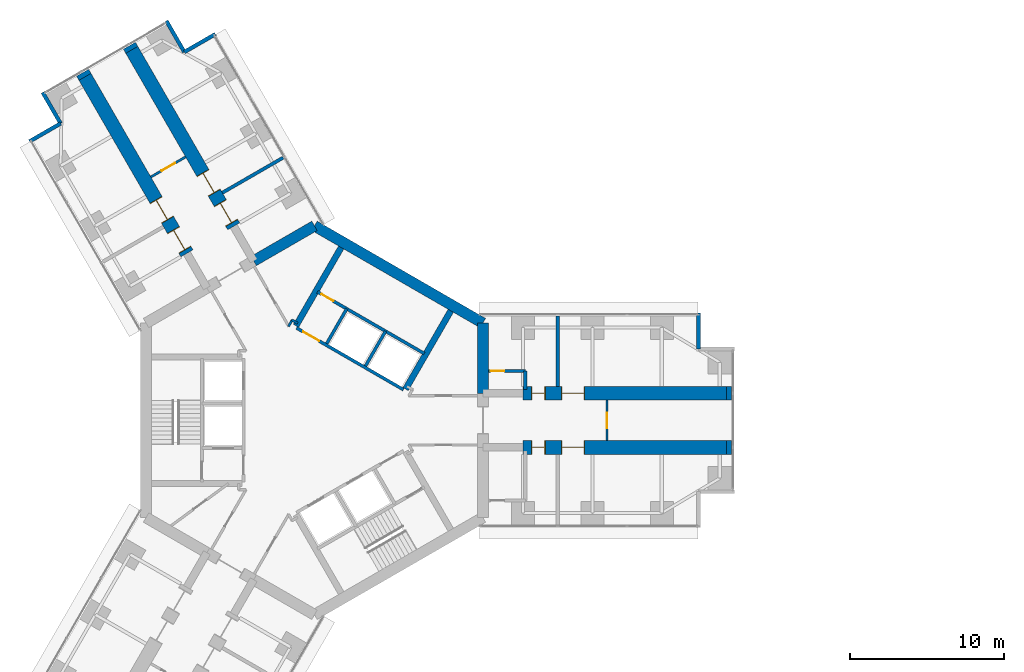
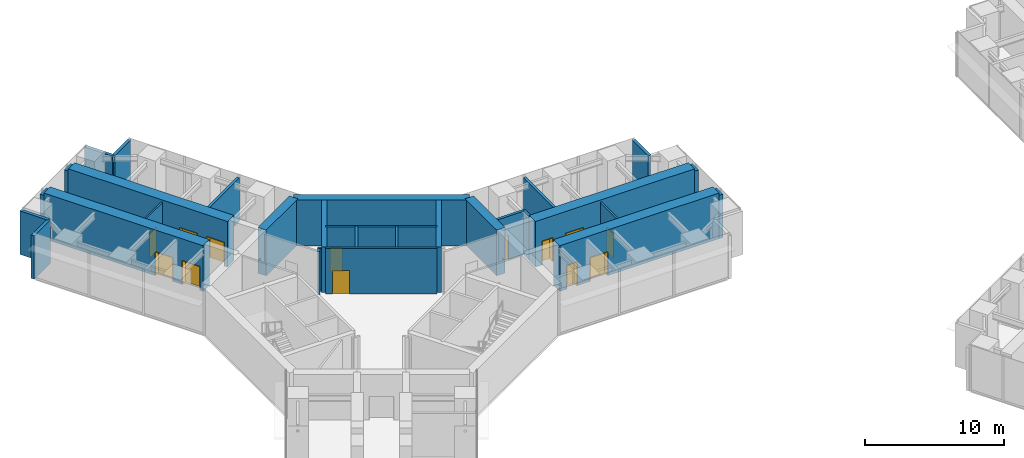
# One storey, part 18 of 23: 30 walls, 13 doors, 13 openings.
"""IFC4 building model written with IfcOpenShell, lengths in metres."""

from ifc_helpers import new_model, si_unit, direction, frame, frame_2d, origin, place, context, subcontext, project, spatial, rectangle, extrude, material, layer, layer_set, type_object, element, fill, save


model = new_model("IFC4")

# Units and contexts
model_context = context("Model", 3, precision=1e-05, world=origin(), true_north=direction((0.0, 1.0)))
body_context = subcontext(model_context, "Body", "Model", "MODEL_VIEW")
ifc_project = project(units=[si_unit("LENGTHUNIT", "METRE"), si_unit("AREAUNIT", "SQUARE_METRE"), si_unit("VOLUMEUNIT", "CUBIC_METRE"), si_unit("PLANEANGLEUNIT", "RADIAN"), si_unit("MASSUNIT", "GRAM", prefix="KILO")], contexts=[model_context])

# Site, building, storey
site_placement = place(None, origin())
site = spatial("IfcSite", under=ifc_project, at=site_placement, CompositionType="ELEMENT")
building_placement = place(site_placement, origin())
building = spatial("IfcBuilding", under=site, at=building_placement, Name="Upepo Twin Towers", CompositionType="ELEMENT")
storey_placement = place(building_placement, frame((0.0, 0.0, 28.5)))
storey = spatial("IfcBuildingStorey", under=building, at=storey_placement, Name="L06", CompositionType="ELEMENT", Elevation=28.5)

# Wall
ifc_material_1 = material(Name="Concrete blockwork, plastered both faces", Category="masonry")
ifc_layer_1 = layer(ifc_material_1, 0.215087890625)
ifc_layer_set_1 = layer_set([ifc_layer_1], Name="Blockwork partition 215")
wall_type_1 = type_object("IfcWallType", Name="Blockwork partition 215", PredefinedType="PARTITIONING", material=ifc_layer_set_1)
wall_1_placement = place(storey_placement, frame((15.75, 2.199951171875, 0.0), z_axis=(0.0, 0.0, 1.0), x_axis=(0.0, 1.0, 0.0)))
element("IfcWall", 1, at=wall_1_placement, inside=storey, type_object=wall_type_1, Name="T1 partition AL at 15.75", PredefinedType="PARTITIONING", context=body_context, shape_type="SweptSolid", body=[
    extrude(rectangle(XDim=4.550048828125, YDim=0.215087890625, at=frame_2d((2.27490234375, 0.0))), origin(), (0.0, 0.0, 1.0), 3.800048828125),
])

# Wall, opening, door
wall_2_placement = place(storey_placement, frame((11.258056640625, 3.199951171875, 0.0), z_axis=(0.0, 0.0, 1.0), x_axis=(1.0, 0.0, 0.0)))
wall_2 = element("IfcWall", 2, at=wall_2_placement, inside=storey, type_object=wall_type_1, Name="T1 WC bay partition AL at 11.26", PredefinedType="PARTITIONING", context=body_context, shape_type="SweptSolid", body=[
    extrude(rectangle(XDim=2.39990234375, YDim=0.215087890625, at=frame_2d((1.199951171875, 0.0))), origin(), (0.0, 0.0, 1.0), 3.800048828125),
])
opening_1_placement = place(wall_2_placement, frame((0.14990234375, 0.0, 0.0)))
opening_1 = element("IfcOpeningElement", 3, at=opening_1_placement, cuts=wall_2, Name="Opening D14", PredefinedType="OPENING", context=body_context, shape_type="SweptSolid", body=[
    extrude(rectangle(XDim=0.89990234375, YDim=2.10009765625, at=frame_2d((0.449951171875, 1.050048828125))), frame((0.0, 0.117431640625, 0.0), z_axis=(0.0, -1.0, 0.0), x_axis=(1.0, 0.0, 0.0)), (0.0, 0.0, 1.0), 0.235107421875),
])
ifc_material_2 = material(Name="Timber doorset", Category="wood")
door_type_1 = type_object("IfcDoorType", Name="Office door 900 FD30", OperationType="SINGLE_SWING_LEFT", PredefinedType="DOOR", material=ifc_material_2)
door_1_placement = place(opening_1_placement, origin())
door_1 = element("IfcDoor", 4, at=door_1_placement, inside=storey, type_object=door_type_1, Name="T1 L06 WC bay inner room door", OperationType="SINGLE_SWING_LEFT", OverallHeight=2.10009765625, OverallWidth=0.89990234375, PredefinedType="DOOR", context=body_context, shape_type="SweptSolid", body=[
    extrude(rectangle(XDim=0.89990234375, YDim=2.10009765625, at=frame_2d((0.449951171875, 1.050048828125))), frame((0.0, 0.02490234375, 0.0), z_axis=(0.0, -1.0, 0.0), x_axis=(1.0, 0.0, 0.0)), (0.0, 0.0, 1.0), 0.050048828125),
])
fill(opening_1, door_1)

# Walls
wall_3_placement = place(storey_placement, frame((13.657958984375, 2.0, 0.0), z_axis=(0.0, 0.0, 1.0), x_axis=(0.0, 1.0, 0.0)))
element("IfcWall", 5, at=wall_3_placement, inside=storey, type_object=wall_type_1, Name="T1 WC bay partition AL end at 13.66", PredefinedType="PARTITIONING", context=body_context, shape_type="SweptSolid", body=[
    extrude(rectangle(XDim=1.199951171875, YDim=0.215087890625, at=frame_2d((0.60009765625, 0.0))), origin(), (0.0, 0.0, 1.0), 3.800048828125),
])
wall_4_placement = place(storey_placement, frame((-5.9697265625, 14.739990234375, 0.0), z_axis=(0.0, 0.0, 1.0), x_axis=(0.866035472144, 0.499982560684, 0.0)))
element("IfcWall", 6, at=wall_4_placement, inside=storey, type_object=wall_type_1, Name="T1 partition BR at 15.75", PredefinedType="PARTITIONING", context=body_context, shape_type="SweptSolid", body=[
    extrude(rectangle(XDim=4.550048828125, YDim=0.215087890625, at=frame_2d((2.27490234375, 0.0))), origin(), (0.0, 0.0, 1.0), 3.800048828125),
])
ifc_material_3 = material(Name="Dense concrete blockwork", Category="masonry")
ifc_layer_2 = layer(ifc_material_3, 0.89990234375)
ifc_layer_set_2 = layer_set([ifc_layer_2], Name="Buttress closer 900, blockwork with fire-stopping to the curtain wall")
wall_type_2 = type_object("IfcWallType", Name="Buttress closer 900, blockwork with fire-stopping to the curtain wall", PredefinedType="PARTITIONING", material=ifc_layer_set_2)
for number, where, z_axis, x_axis, name in (
    (7, (26.699951171875, 1.75, 0.0), (0.0, 0.0, 1.0), (1.0, 0.0, 0.0), "T1 L06 wing A buttress closer L"),
    (8, (26.699951171875, -1.75, 0.0), (0.0, 0.0, 1.0), (1.0, 0.0, 0.0), "T1 L06 wing A buttress closer R"),
    (9, (-14.865478515625, 22.247802734375, 0.0), (0.0, 0.0, 1.0), (-0.499949632511, 0.866054481515, 0.0), "T1 L06 wing B buttress closer L"),
    (10, (-11.83447265625, 23.997802734375, 0.0), (0.0, 0.0, 1.0), (-0.499949632511, 0.866054481515, 0.0), "T1 L06 wing B buttress closer R"),
):
    element("IfcWall", number, at=place(storey_placement, frame(where, z_axis=z_axis, x_axis=x_axis)), inside=storey, type_object=wall_type_2, Name=name, PredefinedType="PARTITIONING", context=body_context, shape_type="SweptSolid", body=[
        extrude(rectangle(XDim=0.31005859375, YDim=0.89990234375, at=frame_2d((0.155029296875, 0.0))), origin(), (0.0, 0.0, 1.0), 3.800048828125),
    ])

# Wall, openings, doors
ifc_material_4 = material(Name="Concrete C60/75", Category="concrete")
ifc_layer_3 = layer(ifc_material_4, 0.89990234375)
ifc_layer_set_3 = layer_set([ifc_layer_3], Name="Concrete C60/75")
wall_type_3 = type_object("IfcWallType", Name="Buttress wall 900 RC", PredefinedType="SHEAR", material=ifc_layer_set_3)
wall_5_placement = place(storey_placement, frame((13.5, 1.75, 0.0), z_axis=(0.0, 0.0, 1.0), x_axis=(1.0, 0.0, 0.0)))
wall_5 = element("IfcWall", 11, at=wall_5_placement, inside=storey, type_object=wall_type_3, Name="T1 wing A buttress wall L part 2", PredefinedType="SHEAR", context=body_context, shape_type="SweptSolid", body=[
    extrude(rectangle(XDim=13.199951171875, YDim=0.89990234375, at=frame_2d((6.60009765625, 0.0))), origin(), (0.0, 0.0, 1.0), 4.0),
])
opening_2_placement = place(wall_5_placement, frame((0.550048828125, 0.0, 0.0)))
opening_2 = element("IfcOpeningElement", 12, at=opening_2_placement, cuts=wall_5, Name="Opening D11", PredefinedType="OPENING", context=body_context, shape_type="SweptSolid", body=[
    extrude(rectangle(XDim=0.89990234375, YDim=2.10009765625, at=frame_2d((0.449951171875, 1.050048828125))), frame((0.0, 0.4599609375, 0.0), z_axis=(0.0, -1.0, 0.0), x_axis=(1.0, 0.0, 0.0)), (0.0, 0.0, 1.0), 0.919921875),
])
opening_3_placement = place(wall_5_placement, frame((2.5, 0.0, 0.0)))
opening_3 = element("IfcOpeningElement", 13, at=opening_3_placement, cuts=wall_5, Name="Opening D13", PredefinedType="OPENING", context=body_context, shape_type="SweptSolid", body=[
    extrude(rectangle(XDim=1.5, YDim=2.10009765625, at=frame_2d((0.75, 1.050048828125))), frame((0.0, 0.4599609375, 0.0), z_axis=(0.0, -1.0, 0.0), x_axis=(1.0, 0.0, 0.0)), (0.0, 0.0, 1.0), 0.919921875),
])
ifc_material_5 = material(Name="Timber doorset", Category="wood")
door_type_2 = type_object("IfcDoorType", Name="Double door 1500 FD30", OperationType="DOUBLE_DOOR_SINGLE_SWING", PredefinedType="DOOR", material=ifc_material_5)
door_2_placement = place(opening_3_placement, origin())
door_2 = element("IfcDoor", 14, at=door_2_placement, inside=storey, type_object=door_type_2, Name="T1 L06 teaching laboratory door", OperationType="DOUBLE_DOOR_SINGLE_SWING", OverallHeight=2.10009765625, OverallWidth=1.5, PredefinedType="DOOR", context=body_context, shape_type="SweptSolid", body=[
    extrude(rectangle(XDim=1.42, YDim=2.06009765625, at=frame_2d((0.75, 1.030029296875))), frame((0.0, 0.02490234375, 0.0), z_axis=(0.0, -1.0, 0.0), x_axis=(1.0, 0.0, 0.0)), (0.0, 0.0, 1.0), 0.050048828125),
    extrude(rectangle(XDim=0.04, YDim=2.10009765625, at=frame_2d((0.02001953125, 1.050048828125))), frame((0.0, 0.44970703125, 0.0), z_axis=(0.0, -1.0, 0.0), x_axis=(1.0, 0.0, 0.0)), (0.0, 0.0, 1.0), 0.8994140625),
    extrude(rectangle(XDim=0.04, YDim=2.10009765625, at=frame_2d((1.47998046875, 1.050048828125))), frame((0.0, 0.44970703125, 0.0), z_axis=(0.0, -1.0, 0.0), x_axis=(1.0, 0.0, 0.0)), (0.0, 0.0, 1.0), 0.8994140625),
    extrude(rectangle(XDim=1.42, YDim=0.04, at=frame_2d((0.75, 2.080078125))), frame((0.0, 0.44970703125, 0.0), z_axis=(0.0, -1.0, 0.0), x_axis=(1.0, 0.0, 0.0)), (0.0, 0.0, 1.0), 0.8994140625),
])
fill(opening_3, door_2)
ifc_material_6 = material(Name="Timber doorset", Category="wood")
door_type_3 = type_object("IfcDoorType", Name="Toilet door 900", OperationType="SINGLE_SWING_LEFT", PredefinedType="DOOR", material=ifc_material_6)
door_3_placement = place(opening_2_placement, origin())
door_3 = element("IfcDoor", 15, at=door_3_placement, inside=storey, type_object=door_type_3, Name="T1 L06 toilets door", OperationType="SINGLE_SWING_LEFT", OverallHeight=2.10009765625, OverallWidth=0.89990234375, PredefinedType="DOOR", context=body_context, shape_type="SweptSolid", body=[
    extrude(rectangle(XDim=0.81990234375, YDim=2.06009765625, at=frame_2d((0.449951171875, 1.030029296875))), frame((0.0, 0.02490234375, 0.0), z_axis=(0.0, -1.0, 0.0), x_axis=(1.0, 0.0, 0.0)), (0.0, 0.0, 1.0), 0.050048828125),
    extrude(rectangle(XDim=0.04, YDim=2.10009765625, at=frame_2d((0.02001953125, 1.050048828125))), frame((0.0, 0.44970703125, 0.0), z_axis=(0.0, -1.0, 0.0), x_axis=(1.0, 0.0, 0.0)), (0.0, 0.0, 1.0), 0.8994140625),
    extrude(rectangle(XDim=0.04, YDim=2.10009765625, at=frame_2d((0.8798828125, 1.050048828125))), frame((0.0, 0.44970703125, 0.0), z_axis=(0.0, -1.0, 0.0), x_axis=(1.0, 0.0, 0.0)), (0.0, 0.0, 1.0), 0.8994140625),
    extrude(rectangle(XDim=0.81990234375, YDim=0.04, at=frame_2d((0.449951171875, 2.080078125))), frame((0.0, 0.44970703125, 0.0), z_axis=(0.0, -1.0, 0.0), x_axis=(1.0, 0.0, 0.0)), (0.0, 0.0, 1.0), 0.8994140625),
])
fill(opening_2, door_3)

wall_6_placement = place(storey_placement, frame((13.5, -1.75, 0.0), z_axis=(0.0, 0.0, 1.0), x_axis=(1.0, 0.0, 0.0)))
wall_6 = element("IfcWall", 16, at=wall_6_placement, inside=storey, type_object=wall_type_3, Name="T1 wing A buttress wall R part 2", PredefinedType="SHEAR", context=body_context, shape_type="SweptSolid", body=[
    extrude(rectangle(XDim=13.199951171875, YDim=0.89990234375, at=frame_2d((6.60009765625, 0.0))), origin(), (0.0, 0.0, 1.0), 4.0),
])
opening_4_placement = place(wall_6_placement, frame((0.550048828125, 0.0, 0.0)))
opening_4 = element("IfcOpeningElement", 17, at=opening_4_placement, cuts=wall_6, Name="Opening D11", PredefinedType="OPENING", context=body_context, shape_type="SweptSolid", body=[
    extrude(rectangle(XDim=0.89990234375, YDim=2.10009765625, at=frame_2d((0.449951171875, 1.050048828125))), frame((0.0, 0.4599609375, 0.0), z_axis=(0.0, -1.0, 0.0), x_axis=(1.0, 0.0, 0.0)), (0.0, 0.0, 1.0), 0.919921875),
])
opening_5_placement = place(wall_6_placement, frame((2.5, 0.0, 0.0)))
opening_5 = element("IfcOpeningElement", 18, at=opening_5_placement, cuts=wall_6, Name="Opening D13", PredefinedType="OPENING", context=body_context, shape_type="SweptSolid", body=[
    extrude(rectangle(XDim=1.5, YDim=2.10009765625, at=frame_2d((0.75, 1.050048828125))), frame((0.0, 0.4599609375, 0.0), z_axis=(0.0, -1.0, 0.0), x_axis=(1.0, 0.0, 0.0)), (0.0, 0.0, 1.0), 0.919921875),
])
door_4_placement = place(opening_5_placement, origin())
door_4 = element("IfcDoor", 19, at=door_4_placement, inside=storey, type_object=door_type_2, Name="T1 L06 teaching laboratory door", OperationType="DOUBLE_DOOR_SINGLE_SWING", OverallHeight=2.10009765625, OverallWidth=1.5, PredefinedType="DOOR", context=body_context, shape_type="SweptSolid", body=[
    extrude(rectangle(XDim=1.42, YDim=2.06009765625, at=frame_2d((0.75, 1.030029296875))), frame((0.0, 0.02490234375, 0.0), z_axis=(0.0, -1.0, 0.0), x_axis=(1.0, 0.0, 0.0)), (0.0, 0.0, 1.0), 0.050048828125),
    extrude(rectangle(XDim=0.04, YDim=2.10009765625, at=frame_2d((0.02001953125, 1.050048828125))), frame((0.0, 0.44970703125, 0.0), z_axis=(0.0, -1.0, 0.0), x_axis=(1.0, 0.0, 0.0)), (0.0, 0.0, 1.0), 0.8994140625),
    extrude(rectangle(XDim=0.04, YDim=2.10009765625, at=frame_2d((1.47998046875, 1.050048828125))), frame((0.0, 0.44970703125, 0.0), z_axis=(0.0, -1.0, 0.0), x_axis=(1.0, 0.0, 0.0)), (0.0, 0.0, 1.0), 0.8994140625),
    extrude(rectangle(XDim=1.42, YDim=0.04, at=frame_2d((0.75, 2.080078125))), frame((0.0, 0.44970703125, 0.0), z_axis=(0.0, -1.0, 0.0), x_axis=(1.0, 0.0, 0.0)), (0.0, 0.0, 1.0), 0.8994140625),
])
fill(opening_5, door_4)
door_5_placement = place(opening_4_placement, origin())
door_5 = element("IfcDoor", 20, at=door_5_placement, inside=storey, type_object=door_type_3, Name="T1 L06 accessible wc door", OperationType="SINGLE_SWING_LEFT", OverallHeight=2.10009765625, OverallWidth=0.89990234375, PredefinedType="DOOR", context=body_context, shape_type="SweptSolid", body=[
    extrude(rectangle(XDim=0.81990234375, YDim=2.06009765625, at=frame_2d((0.449951171875, 1.030029296875))), frame((0.0, 0.02490234375, 0.0), z_axis=(0.0, -1.0, 0.0), x_axis=(1.0, 0.0, 0.0)), (0.0, 0.0, 1.0), 0.050048828125),
    extrude(rectangle(XDim=0.04, YDim=2.10009765625, at=frame_2d((0.02001953125, 1.050048828125))), frame((0.0, 0.44970703125, 0.0), z_axis=(0.0, -1.0, 0.0), x_axis=(1.0, 0.0, 0.0)), (0.0, 0.0, 1.0), 0.8994140625),
    extrude(rectangle(XDim=0.04, YDim=2.10009765625, at=frame_2d((0.8798828125, 1.050048828125))), frame((0.0, 0.44970703125, 0.0), z_axis=(0.0, -1.0, 0.0), x_axis=(1.0, 0.0, 0.0)), (0.0, 0.0, 1.0), 0.8994140625),
    extrude(rectangle(XDim=0.81990234375, YDim=0.04, at=frame_2d((0.449951171875, 2.080078125))), frame((0.0, 0.44970703125, 0.0), z_axis=(0.0, -1.0, 0.0), x_axis=(1.0, 0.0, 0.0)), (0.0, 0.0, 1.0), 0.8994140625),
])
fill(opening_4, door_5)

wall_7_placement = place(storey_placement, frame((-8.265625, 10.81640625, 0.0), z_axis=(0.0, 0.0, 1.0), x_axis=(-0.499996231654, 0.866027579429, 0.0)))
wall_7 = element("IfcWall", 21, at=wall_7_placement, inside=storey, type_object=wall_type_3, Name="T1 wing B buttress wall L part 2", PredefinedType="SHEAR", context=body_context, shape_type="SweptSolid", body=[
    extrude(rectangle(XDim=13.19970703125, YDim=0.89990234375, at=frame_2d((6.599853515625, 0.0))), origin(), (0.0, 0.0, 1.0), 4.0),
])
opening_6_placement = place(wall_7_placement, frame((0.25, 0.0, 0.0)))
opening_6 = element("IfcOpeningElement", 22, at=opening_6_placement, cuts=wall_7, Name="Opening D13", PredefinedType="OPENING", context=body_context, shape_type="SweptSolid", body=[
    extrude(rectangle(XDim=1.5, YDim=2.10009765625, at=frame_2d((0.75, 1.050048828125))), frame((0.0, 0.4599609375, 0.0), z_axis=(0.0, -1.0, 0.0), x_axis=(1.0, 0.0, 0.0)), (0.0, 0.0, 1.0), 0.919921875),
])
opening_7_placement = place(wall_7_placement, frame((2.5, 0.0, 0.0)))
opening_7 = element("IfcOpeningElement", 23, at=opening_7_placement, cuts=wall_7, Name="Opening D13", PredefinedType="OPENING", context=body_context, shape_type="SweptSolid", body=[
    extrude(rectangle(XDim=1.5, YDim=2.10009765625, at=frame_2d((0.75, 1.050048828125))), frame((0.0, 0.4599609375, 0.0), z_axis=(0.0, -1.0, 0.0), x_axis=(1.0, 0.0, 0.0)), (0.0, 0.0, 1.0), 0.919921875),
])
door_6_placement = place(opening_6_placement, origin())
door_6 = element("IfcDoor", 24, at=door_6_placement, inside=storey, type_object=door_type_2, Name="T1 L06 instrument room door", OperationType="DOUBLE_DOOR_SINGLE_SWING", OverallHeight=2.10009765625, OverallWidth=1.5, PredefinedType="DOOR", context=body_context, shape_type="SweptSolid", body=[
    extrude(rectangle(XDim=1.42, YDim=2.06009765625, at=frame_2d((0.75, 1.030029296875))), frame((0.0, 0.02490234375, 0.0), z_axis=(0.0, -1.0, 0.0), x_axis=(1.0, 0.0, 0.0)), (0.0, 0.0, 1.0), 0.050048828125),
    extrude(rectangle(XDim=0.04, YDim=2.10009765625, at=frame_2d((0.02001953125, 1.050048828125))), frame((0.0, 0.44970703125, 0.0), z_axis=(0.0, -1.0, 0.0), x_axis=(1.0, 0.0, 0.0)), (0.0, 0.0, 1.0), 0.8994140625),
    extrude(rectangle(XDim=0.04, YDim=2.10009765625, at=frame_2d((1.47998046875, 1.050048828125))), frame((0.0, 0.44970703125, 0.0), z_axis=(0.0, -1.0, 0.0), x_axis=(1.0, 0.0, 0.0)), (0.0, 0.0, 1.0), 0.8994140625),
    extrude(rectangle(XDim=1.42, YDim=0.04, at=frame_2d((0.75, 2.080078125))), frame((0.0, 0.44970703125, 0.0), z_axis=(0.0, -1.0, 0.0), x_axis=(1.0, 0.0, 0.0)), (0.0, 0.0, 1.0), 0.8994140625),
])
fill(opening_6, door_6)
door_7_placement = place(opening_7_placement, origin())
door_7 = element("IfcDoor", 25, at=door_7_placement, inside=storey, type_object=door_type_2, Name="T1 L06 teaching laboratory door", OperationType="DOUBLE_DOOR_SINGLE_SWING", OverallHeight=2.10009765625, OverallWidth=1.5, PredefinedType="DOOR", context=body_context, shape_type="SweptSolid", body=[
    extrude(rectangle(XDim=1.42, YDim=2.06009765625, at=frame_2d((0.75, 1.030029296875))), frame((0.0, 0.02490234375, 0.0), z_axis=(0.0, -1.0, 0.0), x_axis=(1.0, 0.0, 0.0)), (0.0, 0.0, 1.0), 0.050048828125),
    extrude(rectangle(XDim=0.04, YDim=2.10009765625, at=frame_2d((0.02001953125, 1.050048828125))), frame((0.0, 0.44970703125, 0.0), z_axis=(0.0, -1.0, 0.0), x_axis=(1.0, 0.0, 0.0)), (0.0, 0.0, 1.0), 0.8994140625),
    extrude(rectangle(XDim=0.04, YDim=2.10009765625, at=frame_2d((1.47998046875, 1.050048828125))), frame((0.0, 0.44970703125, 0.0), z_axis=(0.0, -1.0, 0.0), x_axis=(1.0, 0.0, 0.0)), (0.0, 0.0, 1.0), 0.8994140625),
    extrude(rectangle(XDim=1.42, YDim=0.04, at=frame_2d((0.75, 2.080078125))), frame((0.0, 0.44970703125, 0.0), z_axis=(0.0, -1.0, 0.0), x_axis=(1.0, 0.0, 0.0)), (0.0, 0.0, 1.0), 0.8994140625),
])
fill(opening_7, door_7)

wall_8_placement = place(storey_placement, frame((-5.234375, 12.56640625, 0.0), z_axis=(0.0, 0.0, 1.0), x_axis=(-0.500010103361, 0.866019570528, 0.0)))
wall_8 = element("IfcWall", 26, at=wall_8_placement, inside=storey, type_object=wall_type_3, Name="T1 wing B buttress wall R part 2", PredefinedType="SHEAR", context=body_context, shape_type="SweptSolid", body=[
    extrude(rectangle(XDim=13.199951171875, YDim=0.89990234375, at=frame_2d((6.60009765625, 0.0))), origin(), (0.0, 0.0, 1.0), 4.0),
])
opening_8_placement = place(wall_8_placement, frame((0.25, 0.0, 0.0)))
opening_8 = element("IfcOpeningElement", 27, at=opening_8_placement, cuts=wall_8, Name="Opening D13", PredefinedType="OPENING", context=body_context, shape_type="SweptSolid", body=[
    extrude(rectangle(XDim=1.5, YDim=2.10009765625, at=frame_2d((0.75, 1.050048828125))), frame((0.0, 0.4599609375, 0.0), z_axis=(0.0, -1.0, 0.0), x_axis=(1.0, 0.0, 0.0)), (0.0, 0.0, 1.0), 0.919921875),
])
opening_9_placement = place(wall_8_placement, frame((2.5, 0.0, 0.0)))
opening_9 = element("IfcOpeningElement", 28, at=opening_9_placement, cuts=wall_8, Name="Opening D13", PredefinedType="OPENING", context=body_context, shape_type="SweptSolid", body=[
    extrude(rectangle(XDim=1.5, YDim=2.10009765625, at=frame_2d((0.75, 1.050048828125))), frame((0.0, 0.4599609375, 0.0), z_axis=(0.0, -1.0, 0.0), x_axis=(1.0, 0.0, 0.0)), (0.0, 0.0, 1.0), 0.919921875),
])
door_8_placement = place(opening_8_placement, origin())
door_8 = element("IfcDoor", 29, at=door_8_placement, inside=storey, type_object=door_type_2, Name="T1 L06 write-up room door", OperationType="DOUBLE_DOOR_SINGLE_SWING", OverallHeight=2.10009765625, OverallWidth=1.5, PredefinedType="DOOR", context=body_context, shape_type="SweptSolid", body=[
    extrude(rectangle(XDim=1.42, YDim=2.06009765625, at=frame_2d((0.75, 1.030029296875))), frame((0.0, 0.02490234375, 0.0), z_axis=(0.0, -1.0, 0.0), x_axis=(1.0, 0.0, 0.0)), (0.0, 0.0, 1.0), 0.050048828125),
    extrude(rectangle(XDim=0.04, YDim=2.10009765625, at=frame_2d((0.02001953125, 1.050048828125))), frame((0.0, 0.44970703125, 0.0), z_axis=(0.0, -1.0, 0.0), x_axis=(1.0, 0.0, 0.0)), (0.0, 0.0, 1.0), 0.8994140625),
    extrude(rectangle(XDim=0.04, YDim=2.10009765625, at=frame_2d((1.47998046875, 1.050048828125))), frame((0.0, 0.44970703125, 0.0), z_axis=(0.0, -1.0, 0.0), x_axis=(1.0, 0.0, 0.0)), (0.0, 0.0, 1.0), 0.8994140625),
    extrude(rectangle(XDim=1.42, YDim=0.04, at=frame_2d((0.75, 2.080078125))), frame((0.0, 0.44970703125, 0.0), z_axis=(0.0, -1.0, 0.0), x_axis=(1.0, 0.0, 0.0)), (0.0, 0.0, 1.0), 0.8994140625),
])
fill(opening_8, door_8)
door_9_placement = place(opening_9_placement, origin())
door_9 = element("IfcDoor", 30, at=door_9_placement, inside=storey, type_object=door_type_2, Name="T1 L06 teaching laboratory door", OperationType="DOUBLE_DOOR_SINGLE_SWING", OverallHeight=2.10009765625, OverallWidth=1.5, PredefinedType="DOOR", context=body_context, shape_type="SweptSolid", body=[
    extrude(rectangle(XDim=1.42, YDim=2.06009765625, at=frame_2d((0.75, 1.030029296875))), frame((0.0, 0.02490234375, 0.0), z_axis=(0.0, -1.0, 0.0), x_axis=(1.0, 0.0, 0.0)), (0.0, 0.0, 1.0), 0.050048828125),
    extrude(rectangle(XDim=0.04, YDim=2.10009765625, at=frame_2d((0.02001953125, 1.050048828125))), frame((0.0, 0.44970703125, 0.0), z_axis=(0.0, -1.0, 0.0), x_axis=(1.0, 0.0, 0.0)), (0.0, 0.0, 1.0), 0.8994140625),
    extrude(rectangle(XDim=0.04, YDim=2.10009765625, at=frame_2d((1.47998046875, 1.050048828125))), frame((0.0, 0.44970703125, 0.0), z_axis=(0.0, -1.0, 0.0), x_axis=(1.0, 0.0, 0.0)), (0.0, 0.0, 1.0), 0.8994140625),
    extrude(rectangle(XDim=1.42, YDim=0.04, at=frame_2d((0.75, 2.080078125))), frame((0.0, 0.44970703125, 0.0), z_axis=(0.0, -1.0, 0.0), x_axis=(1.0, 0.0, 0.0)), (0.0, 0.0, 1.0), 0.8994140625),
])
fill(opening_9, door_9)

# Walls
ifc_material_7 = material(Name="Concrete C60/75", Category="concrete")
ifc_layer_4 = layer(ifc_material_7, 0.699951171875)
ifc_layer_set_4 = layer_set([ifc_layer_4], Name="Concrete C60/75")
wall_type_4 = type_object("IfcWallType", Name="Core wall 700 RC", PredefinedType="SHEAR", material=ifc_layer_set_4)
wall_9_placement = place(storey_placement, frame((10.908447265625, 1.75, 0.0), z_axis=(0.0, 0.0, 1.0), x_axis=(0.0, 1.0, 0.0)))
element("IfcWall", 31, at=wall_9_placement, inside=storey, type_object=wall_type_4, Name="T1 core wall 000 L", PredefinedType="SHEAR", context=body_context, shape_type="SweptSolid", body=[
    extrude(rectangle(XDim=4.5478515625, YDim=0.699951171875, at=frame_2d((2.27392578125, 0.0))), origin(), (0.0, 0.0, 1.0), 4.0),
])
wall_10_placement = place(storey_placement, frame((10.908447265625, 6.2978515625, 0.0), z_axis=(0.0, 0.0, 1.0), x_axis=(-0.866021940709, 0.500005998175, 0.0)))
element("IfcWall", 32, at=wall_10_placement, inside=storey, type_object=wall_type_4, Name="T1 core wall 060", PredefinedType="SHEAR", context=body_context, shape_type="SweptSolid", body=[
    extrude(rectangle(XDim=12.595947265625, YDim=0.699951171875, at=frame_2d((6.2978515625, 0.0))), origin(), (0.0, 0.0, 1.0), 4.0),
])
wall_11_placement = place(storey_placement, frame((0.0, 12.595947265625, 0.0), z_axis=(0.0, 0.0, 1.0), x_axis=(-0.866011268655, -0.500024481964, 0.0)))
element("IfcWall", 33, at=wall_11_placement, inside=storey, type_object=wall_type_4, Name="T1 core wall 120 R", PredefinedType="SHEAR", context=body_context, shape_type="SweptSolid", body=[
    extrude(rectangle(XDim=4.548095703125, YDim=0.699951171875, at=frame_2d((2.27392578125, 0.0))), origin(), (0.0, 0.0, 1.0), 4.0),
])
ifc_material_8 = material(Name="Blockwork with anodised aluminium cladding", Category="masonry")
ifc_layer_5 = layer(ifc_material_8, 0.25)
ifc_layer_set_5 = layer_set([ifc_layer_5], Name="Notch cladding wall 250, pale metal")
wall_type_5 = type_object("IfcWallType", Name="Notch cladding wall 250, pale metal", PredefinedType="STANDARD", material=ifc_layer_set_5)
for number, where, z_axis, x_axis, name in (
    (34, (24.875, 6.949951171875, 0.0), (0.0, 0.0, 1.0), (0.0, -1.0, 0.0), "T1 L06 wing A notch wall L1"),
    (35, (-18.456298828125, 18.0673828125, 0.0), (0.0, 0.0, 1.0), (0.865998469481, 0.500046648681, 0.0), "T1 L06 wing B notch wall L1"),
    (36, (-16.44287109375, 19.22998046875, 0.0), (0.0, 0.0, 1.0), (-0.500046648681, 0.865998469481, 0.0), "T1 L06 wing B notch wall L2"),
    (37, (-6.418701171875, 25.017333984375, 0.0), (0.0, 0.0, 1.0), (-0.866043940782, -0.499967891604, 0.0), "T1 L06 wing B notch wall R1"),
    (38, (-8.43212890625, 23.85498046875, 0.0), (0.0, 0.0, 1.0), (-0.500046648681, 0.865998469481, 0.0), "T1 L06 wing B notch wall R2"),
):
    element("IfcWall", number, at=place(storey_placement, frame(where, z_axis=z_axis, x_axis=x_axis)), inside=storey, type_object=wall_type_5, Name=name, PredefinedType="STANDARD", context=body_context, shape_type="SweptSolid", body=[
        extrude(rectangle(XDim=2.324951171875, YDim=0.25, at=frame_2d((1.16259765625, 0.0))), origin(), (0.0, 0.0, 1.0), 3.800048828125),
    ])

# Wall, opening, door
ifc_material_9 = material(Name="Concrete C40/50", Category="concrete")
ifc_layer_6 = layer(ifc_material_9, 0.199951171875)
ifc_layer_set_6 = layer_set([ifc_layer_6], Name="Concrete C40/50")
wall_type_6 = type_object("IfcWallType", Name="Shaft wall 200 RC", PredefinedType="SHEAR", material=ifc_layer_set_6)
wall_12_placement = place(storey_placement, frame((5.76416015625, 1.983642578125, 0.0), z_axis=(0.0, 0.0, 1.0), x_axis=(-0.866026010844, 0.49999894854, 0.0)))
wall_12 = element("IfcWall", 39, at=wall_12_placement, inside=storey, type_object=wall_type_6, Name="T1 core W60 front wall", PredefinedType="SHEAR", context=body_context, shape_type="SweptSolid", body=[
    extrude(rectangle(XDim=8.0, YDim=0.199951171875, at=frame_2d((4.0, 0.0))), origin(), (0.0, 0.0, 1.0), 4.0),
])
opening_10_placement = place(wall_12_placement, frame((6.300048828125, 0.0, 0.0)))
opening_10 = element("IfcOpeningElement", 40, at=opening_10_placement, cuts=wall_12, Name="Opening D4", PredefinedType="OPENING", context=body_context, shape_type="SweptSolid", body=[
    extrude(rectangle(XDim=1.199951171875, YDim=2.10009765625, at=frame_2d((0.60009765625, 1.050048828125))), frame((0.0, 0.10986328125, 0.0), z_axis=(0.0, -1.0, 0.0), x_axis=(1.0, 0.0, 0.0)), (0.0, 0.0, 1.0), 0.219970703125),
])
ifc_material_10 = material(Name="Timber doorset", Category="wood")
door_type_4 = type_object("IfcDoorType", Name="Lobby door 1200 FD60", OperationType="SINGLE_SWING_LEFT", PredefinedType="DOOR", material=ifc_material_10)
door_10_placement = place(opening_10_placement, origin())
door_10 = element("IfcDoor", 41, at=door_10_placement, inside=storey, type_object=door_type_4, Name="T1 L06 W60 lobby door", OperationType="SINGLE_SWING_RIGHT", OverallHeight=2.10009765625, OverallWidth=1.199951171875, PredefinedType="DOOR", context=body_context, shape_type="SweptSolid", body=[
    extrude(rectangle(XDim=1.199951171875, YDim=2.10009765625, at=frame_2d((0.60009765625, 1.050048828125))), frame((0.0, 0.02490234375, 0.0), z_axis=(0.0, -1.0, 0.0), x_axis=(1.0, 0.0, 0.0)), (0.0, 0.0, 1.0), 0.050048828125),
])
fill(opening_10, door_10)

# Walls
for number, where, z_axis, x_axis, name in (
    (42, (3.302734375, 3.520263671875, 0.0), (0.0, 0.0, 1.0), (0.499936506574, 0.866062058628, 0.0), "T1 core W60 shaft divider"),
    (43, (0.791259765625, 4.97021484375, 0.0), (0.0, 0.0, 1.0), (0.499936506574, 0.866062058628, 0.0), "T1 core W60 lobby wall"),
):
    element("IfcWall", number, at=place(storey_placement, frame(where, z_axis=z_axis, x_axis=x_axis)), inside=storey, type_object=wall_type_6, Name=name, PredefinedType="SHEAR", context=body_context, shape_type="SweptSolid", body=[
        extrude(rectangle(XDim=2.599853515625, YDim=0.199951171875, at=frame_2d((1.2998046875, 0.0))), origin(), (0.0, 0.0, 1.0), 4.0),
    ])

# Wall, opening, door
wall_13_placement = place(storey_placement, frame((7.114013671875, 4.322021484375, 0.0), z_axis=(0.0, 0.0, 1.0), x_axis=(-0.866026010844, 0.49999894854, 0.0)))
wall_13 = element("IfcWall", 44, at=wall_13_placement, inside=storey, type_object=wall_type_6, Name="T1 core W60 stair wall", PredefinedType="SHEAR", context=body_context, shape_type="SweptSolid", body=[
    extrude(rectangle(XDim=8.0, YDim=0.199951171875, at=frame_2d((4.0, 0.0))), origin(), (0.0, 0.0, 1.0), 4.0),
])
opening_11_placement = place(wall_13_placement, frame((6.800048828125, 0.0, 0.0)))
opening_11 = element("IfcOpeningElement", 45, at=opening_11_placement, cuts=wall_13, Name="Opening D9", PredefinedType="OPENING", context=body_context, shape_type="SweptSolid", body=[
    extrude(rectangle(XDim=0.89990234375, YDim=2.10009765625, at=frame_2d((0.449951171875, 1.050048828125))), frame((0.0, 0.10986328125, 0.0), z_axis=(0.0, -1.0, 0.0), x_axis=(1.0, 0.0, 0.0)), (0.0, 0.0, 1.0), 0.219970703125),
])
ifc_material_11 = material(Name="Timber doorset", Category="wood")
door_type_5 = type_object("IfcDoorType", Name="Riser door 900 FD60", OperationType="SINGLE_SWING_LEFT", PredefinedType="DOOR", material=ifc_material_11)
door_11_placement = place(opening_11_placement, origin())
door_11 = element("IfcDoor", 46, at=door_11_placement, inside=storey, type_object=door_type_5, Name="T1 L06 riser door", OperationType="SINGLE_SWING_RIGHT", OverallHeight=2.10009765625, OverallWidth=0.89990234375, PredefinedType="DOOR", context=body_context, shape_type="SweptSolid", body=[
    extrude(rectangle(XDim=0.89990234375, YDim=2.10009765625, at=frame_2d((0.449951171875, 1.050048828125))), frame((0.0, 0.02490234375, 0.0), z_axis=(0.0, -1.0, 0.0), x_axis=(1.0, 0.0, 0.0)), (0.0, 0.0, 1.0), 0.050048828125),
])
fill(opening_11, door_11)

# Walls
ifc_material_12 = material(Name="Concrete C40/50", Category="concrete")
ifc_layer_7 = layer(ifc_material_12, 0.39990234375)
ifc_layer_set_7 = layer_set([ifc_layer_7], Name="Concrete C40/50")
wall_type_7 = type_object("IfcWallType", Name="Shaft wall 400 RC", PredefinedType="SHEAR", material=ifc_layer_set_7)
for number, where, z_axis, x_axis, name in (
    (47, (-1.20068359375, 6.120361328125, 0.0), (0.0, 0.0, 1.0), (0.500002627198, 0.866023886965, 0.0), "T1 core W60 side wall N"),
    (48, (5.900634765625, 2.020263671875, 0.0), (0.0, 0.0, 1.0), (0.500002627198, 0.866023886965, 0.0), "T1 core W60 side wall S"),
):
    element("IfcWall", number, at=place(storey_placement, frame(where, z_axis=z_axis, x_axis=x_axis)), inside=storey, type_object=wall_type_7, Name=name, PredefinedType="SHEAR", context=body_context, shape_type="SweptSolid", body=[
        extrude(rectangle(XDim=5.8583984375, YDim=0.39990234375, at=frame_2d((2.92919921875, 0.0))), origin(), (0.0, 0.0, 1.0), 4.0),
    ])
ifc_material_13 = material(Name="Gypsum board on steel studs", Category="steel")
ifc_layer_8 = layer(ifc_material_13, 0.14990234375)
ifc_layer_set_8 = layer_set([ifc_layer_8], Name="Teaching partition 150 acoustic")
wall_type_8 = type_object("IfcWallType", Name="Teaching partition 150 acoustic", PredefinedType="PARTITIONING", material=ifc_layer_set_8)
wall_14_placement = place(storey_placement, frame((-1.684326171875, 6.082763671875, 0.0), z_axis=(0.0, 0.0, 1.0), x_axis=(0.50033519877, 0.865831790172, 0.0)))
element("IfcWall", 49, at=wall_14_placement, inside=storey, type_object=wall_type_8, Name="T1 core room partition 12", PredefinedType="PARTITIONING", context=body_context, shape_type="SweptSolid", body=[
    extrude(rectangle(XDim=0.494384765625, YDim=0.14990234375, at=frame_2d((0.2470703125, 0.0))), origin(), (0.0, 0.0, 1.0), 3.800048828125),
])
wall_15_placement = place(storey_placement, frame((-1.46435546875, 6.50341796875, 0.0), z_axis=(0.0, 0.0, 1.0), x_axis=(0.866138304741, -0.499804398801, 0.0)))
element("IfcWall", 50, at=wall_15_placement, inside=storey, type_object=wall_type_8, Name="T1 core room partition 13", PredefinedType="PARTITIONING", context=body_context, shape_type="SweptSolid", body=[
    extrude(rectangle(XDim=0.429931640625, YDim=0.14990234375, at=frame_2d((0.21484375, 0.0))), origin(), (0.0, 0.0, 1.0), 3.800048828125),
])

# Wall, opening, door
wall_16_placement = place(storey_placement, frame((18.949951171875, -1.300048828125, 0.0), z_axis=(0.0, 0.0, 1.0), x_axis=(0.0, 1.0, 0.0)))
wall_16 = element("IfcWall", 51, at=wall_16_placement, inside=storey, type_object=wall_type_8, Name="T1 corridor end partition A at 18.95", PredefinedType="PARTITIONING", context=body_context, shape_type="SweptSolid", body=[
    extrude(rectangle(XDim=2.60009765625, YDim=0.14990234375, at=frame_2d((1.300048828125, 0.0))), origin(), (0.0, 0.0, 1.0), 3.800048828125),
])
opening_12_placement = place(wall_16_placement, frame((0.800048828125, 0.0, 0.0)))
opening_12 = element("IfcOpeningElement", 52, at=opening_12_placement, cuts=wall_16, Name="Opening D1", PredefinedType="OPENING", context=body_context, shape_type="SweptSolid", body=[
    extrude(rectangle(XDim=1.0, YDim=2.10009765625, at=frame_2d((0.5, 1.050048828125))), frame((0.0, 0.0849609375, 0.0), z_axis=(0.0, -1.0, 0.0), x_axis=(1.0, 0.0, 0.0)), (0.0, 0.0, 1.0), 0.169921875),
])
ifc_material_14 = material(Name="Timber doorset", Category="wood")
door_type_6 = type_object("IfcDoorType", Name="Room door 1000 FD30", OperationType="SINGLE_SWING_LEFT", PredefinedType="DOOR", material=ifc_material_14)
door_12_placement = place(opening_12_placement, origin())
door_12 = element("IfcDoor", 53, at=door_12_placement, inside=storey, type_object=door_type_6, Name="T1 L06 breakout study room door", OperationType="SINGLE_SWING_LEFT", OverallHeight=2.10009765625, OverallWidth=1.0, PredefinedType="DOOR", context=body_context, shape_type="SweptSolid", body=[
    extrude(rectangle(XDim=1.0, YDim=2.10009765625, at=frame_2d((0.5, 1.050048828125))), frame((0.0, 0.02490234375, 0.0), z_axis=(0.0, -1.0, 0.0), x_axis=(1.0, 0.0, 0.0)), (0.0, 0.0, 1.0), 0.050048828125),
])
fill(opening_12, door_12)

wall_17_placement = place(storey_placement, frame((-8.34912109375, 17.061279296875, 0.0), z_axis=(0.0, 0.0, 1.0), x_axis=(-0.866021400173, -0.500006934395, 0.0)))
wall_17 = element("IfcWall", 54, at=wall_17_placement, inside=storey, type_object=wall_type_8, Name="T1 corridor end partition B at 18.95", PredefinedType="PARTITIONING", context=body_context, shape_type="SweptSolid", body=[
    extrude(rectangle(XDim=2.60009765625, YDim=0.14990234375, at=frame_2d((1.300048828125, 0.0))), origin(), (0.0, 0.0, 1.0), 3.800048828125),
])
opening_13_placement = place(wall_17_placement, frame((0.800048828125, 0.0, 0.0)))
opening_13 = element("IfcOpeningElement", 55, at=opening_13_placement, cuts=wall_17, Name="Opening D1", PredefinedType="OPENING", context=body_context, shape_type="SweptSolid", body=[
    extrude(rectangle(XDim=1.0, YDim=2.10009765625, at=frame_2d((0.5, 1.050048828125))), frame((0.0, 0.0849609375, 0.0), z_axis=(0.0, -1.0, 0.0), x_axis=(1.0, 0.0, 0.0)), (0.0, 0.0, 1.0), 0.169921875),
])
door_13_placement = place(opening_13_placement, origin())
door_13 = element("IfcDoor", 56, at=door_13_placement, inside=storey, type_object=door_type_6, Name="T1 L06 breakout study room door", OperationType="SINGLE_SWING_LEFT", OverallHeight=2.10009765625, OverallWidth=1.0, PredefinedType="DOOR", context=body_context, shape_type="SweptSolid", body=[
    extrude(rectangle(XDim=1.0, YDim=2.10009765625, at=frame_2d((0.5, 1.050048828125))), frame((0.0, 0.02490234375, 0.0), z_axis=(0.0, -1.0, 0.0), x_axis=(1.0, 0.0, 0.0)), (0.0, 0.0, 1.0), 0.050048828125),
])
fill(opening_13, door_13)

save(model, "model.ifc")
